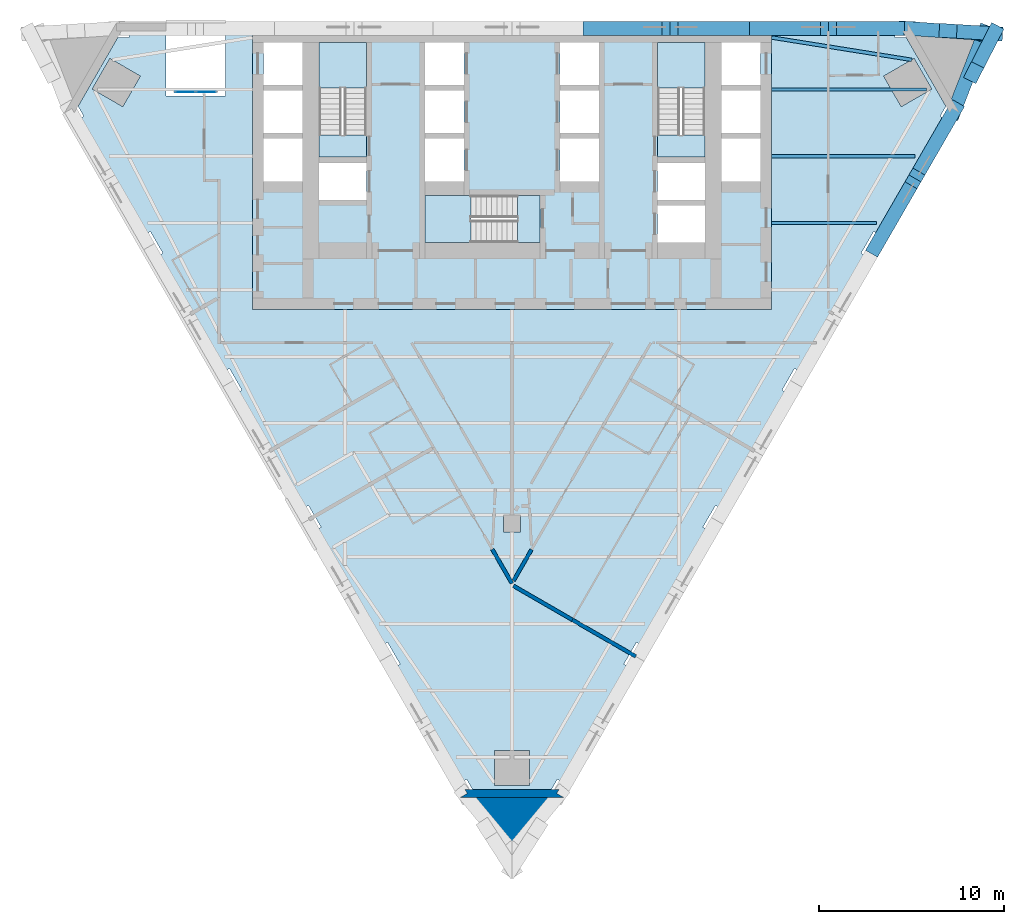
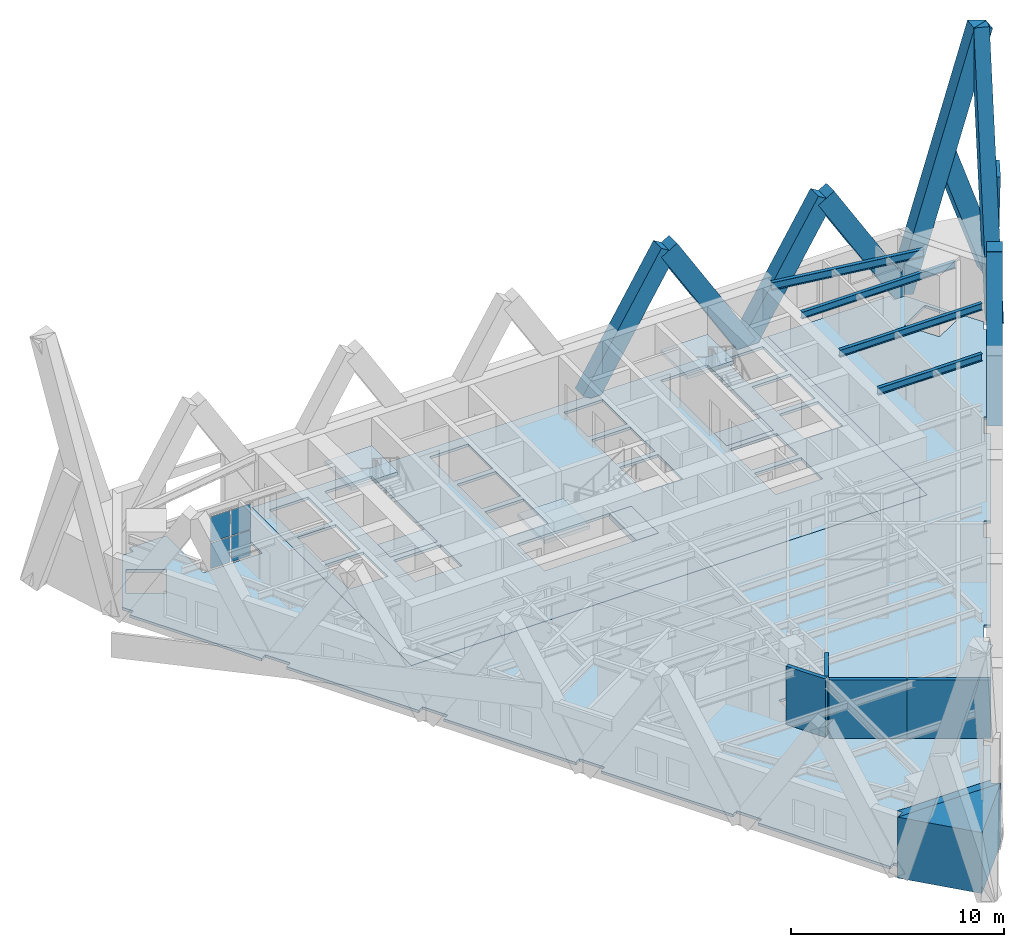
# One storey, part 3 of 11: 10 members, 8 slabs, 6 walls, 4 beams, 4 plates, 4 elements without a shape of their own.
"""IFC4 building model written with IfcOpenShell, lengths in metres."""

from ifc_helpers import new_model, si_unit, direction, frame, frame_2d, origin, origin_2d, place, context, subcontext, project, spatial, polyline, rectangle, i_section, outline, extrude, material, layer, layer_set, material_profile, profile_set, type_object, element, aggregate, save


model = new_model("IFC4")

# Units and contexts
model_context = context("Model", 3, precision=1e-05, world=origin(), true_north=direction((0.0, 1.0)))
body_context = subcontext(model_context, "Body", "Model", "MODEL_VIEW")
ifc_project = project(units=[si_unit("LENGTHUNIT", "METRE"), si_unit("AREAUNIT", "SQUARE_METRE"), si_unit("VOLUMEUNIT", "CUBIC_METRE"), si_unit("PLANEANGLEUNIT", "RADIAN"), si_unit("MASSUNIT", "GRAM", prefix="KILO")], contexts=[model_context])

# Site, building, storey
site_placement = place(None, origin())
site = spatial("IfcSite", under=ifc_project, at=site_placement, CompositionType="ELEMENT")
building_placement = place(site_placement, origin())
building = spatial("IfcBuilding", under=site, at=building_placement, Name="Aloe Facet Convention Tower", CompositionType="ELEMENT")
storey_placement = place(building_placement, frame((0.0, 0.0, 95.800048828125)))
storey = spatial("IfcBuildingStorey", under=building, at=storey_placement, Name="L23", CompositionType="ELEMENT", Elevation=95.800048828125)

# Beams
ifc_material_1 = material(Name="Steel S355", Category="steel")
ifc_material_profile_1 = material_profile(ifc_material_1, i_section(OverallWidth=0.177734375, OverallDepth=0.402587890625, WebThickness=0.0078125, FlangeThickness=0.010986328125, FilletRadius=0.01025390625, at=origin_2d()), Name="UB 406x178x54")
ifc_profile_set_1 = profile_set([ifc_material_profile_1], Name="Steel S355")
beam_type_1 = type_object("IfcBeamType", Name="SF-B-UB406x178x54", PredefinedType="BEAM", material=ifc_profile_set_1)
beam_1_placement = place(storey_placement, frame((94.0, 124.199951171875, 3.148681640625), z_axis=(1.0, 0.0, 0.0), x_axis=(0.0, 1.0, 0.0)))
element("IfcBeam", 1, at=beam_1_placement, inside=storey, type_object=beam_type_1, Name="Floor beam FB-Z2E-040", PredefinedType="BEAM", context=body_context, shape_type="SweptSolid", body=[
    extrude(i_section(OverallWidth=0.177734375, OverallDepth=0.402587890625, WebThickness=0.0078125, FlangeThickness=0.010986328125, FilletRadius=0.01025390625, at=origin_2d()), origin(), (0.0, 0.0, 1.0), 5.648681640625),
])
beam_2_placement = place(storey_placement, frame((94.0, 127.800048828125, 3.148681640625), z_axis=(1.0, 0.0, 0.0), x_axis=(0.0, 1.0, 0.0)))
element("IfcBeam", 2, at=beam_2_placement, inside=storey, type_object=beam_type_1, Name="Floor beam FB-Z2E-041", PredefinedType="BEAM", context=body_context, shape_type="SweptSolid", body=[
    extrude(i_section(OverallWidth=0.177734375, OverallDepth=0.402587890625, WebThickness=0.0078125, FlangeThickness=0.010986328125, FilletRadius=0.01025390625, at=origin_2d()), origin(), (0.0, 0.0, 1.0), 7.72705078125),
])
beam_3_placement = place(storey_placement, frame((94.0, 131.39990234375, 3.148681640625), z_axis=(1.0, 0.0, 0.0), x_axis=(0.0, 1.0, 0.0)))
element("IfcBeam", 3, at=beam_3_placement, inside=storey, type_object=beam_type_1, Name="Floor beam FB-Z2E-042", PredefinedType="BEAM", context=body_context, shape_type="SweptSolid", body=[
    extrude(i_section(OverallWidth=0.177734375, OverallDepth=0.402587890625, WebThickness=0.0078125, FlangeThickness=0.010986328125, FilletRadius=0.01025390625, at=origin_2d()), origin(), (0.0, 0.0, 1.0), 8.3623046875),
])
ifc_material_2 = material(Name="Steel S355", Category="steel")
ifc_material_profile_2 = material_profile(ifc_material_2, i_section(OverallWidth=0.18994140625, OverallDepth=0.453369140625, WebThickness=0.008544921875, FlangeThickness=0.0126953125, FilletRadius=0.01025390625, at=origin_2d()), Name="UB 457x191x67")
ifc_profile_set_2 = profile_set([ifc_material_profile_2], Name="Steel S355")
beam_type_2 = type_object("IfcBeamType", Name="SF-B-UB457x191x67", PredefinedType="BEAM", material=ifc_profile_set_2)
beam_4_placement = place(storey_placement, frame((94.0, 134.205078125, 3.123291015625), z_axis=(0.987536396348, -0.15739080624, 0.0), x_axis=(0.15739080624, 0.987536396348, 0.0)))
element("IfcBeam", 4, at=beam_4_placement, inside=storey, type_object=beam_type_2, Name="Floor beam FB-Z2E-007", PredefinedType="BEAM", context=body_context, shape_type="SweptSolid", body=[
    extrude(i_section(OverallWidth=0.18994140625, OverallDepth=0.453369140625, WebThickness=0.008544921875, FlangeThickness=0.0126953125, FilletRadius=0.01025390625, at=origin_2d()), origin(), (0.0, 0.0, 1.0), 7.653564453125),
])

# Members
ifc_material_3 = material(Name="Concrete C60/75, bronze oxide finish", Category="concrete")
ifc_material_profile_3 = material_profile(ifc_material_3, rectangle(XDim=0.75, YDim=1.0, at=origin_2d()), Name="STW-LM")
ifc_profile_set_3 = profile_set([ifc_material_profile_3], Name="Concrete C60/75, bronze oxide finish")
member_type = type_object("IfcMemberType", Name="STW-LM", PredefinedType="BRACE", material=ifc_profile_set_3)
for number, where, z_axis, x_axis, name in (
    (5, (101.321533203125, 134.699951171875, 0.0), (-0.520261568685, 0.0, 0.854006967272), (0.0, -1.0, 0.0), "Lattice member LM-Z2-F1-R2-01"),
    (6, (92.79296875, 134.699951171875, 0.0), (0.520239844858, 0.0, 0.854020201062), (0.0, 1.0, 0.0), "Lattice member LM-Z2-F1-R2-02"),
    (7, (92.79296875, 134.699951171875, 0.0), (-0.520261568685, 0.0, 0.854006967272), (0.0, -1.0, 0.0), "Lattice member LM-Z2-F1-R2-03"),
    (8, (84.264404296875, 134.699951171875, 0.0), (0.520239844858, 0.0, 0.854020201062), (0.0, 1.0, 0.0), "Lattice member LM-Z2-F1-R2-04"),
    (9, (99.597412109375, 122.914306640625, 0.0), (0.26011992139, 0.45054092877, 0.854020197653), (-0.866025408043, 0.499999992624, 0.0), "Lattice member LM-Z2-F3-R2-09"),
):
    element("IfcMember", number, at=place(storey_placement, frame(where, z_axis=z_axis, x_axis=x_axis)), inside=storey, type_object=member_type, Name=name, PredefinedType="BRACE", context=body_context, shape_type="SweptSolid", body=[
        extrude(rectangle(XDim=0.75, YDim=1.0, at=origin_2d()), origin(), (0.0, 0.0, 1.0), 8.196533203125),
    ])
member_1_placement = place(storey_placement, frame((103.86181640625, 130.30029296875, 0.0), z_axis=(-0.260144200438, -0.450561177013, 0.854002119873), x_axis=(0.866014930446, -0.500018139916, 0.0)))
element("IfcMember", 10, at=member_1_placement, inside=storey, type_object=member_type, Name="Lattice member LM-Z2-F3-R2-10", PredefinedType="BRACE", context=body_context, shape_type="SweptSolid", body=[
    extrude(rectangle(XDim=0.75, YDim=1.0, at=origin_2d()), origin(), (0.0, 0.0, 1.0), 8.19677734375),
])
member_2_placement = place(storey_placement, frame((103.86181640625, 130.30029296875, 0.0), z_axis=(0.108632361951, 0.280038959701, 0.953822410613), x_axis=(-0.932309873243, 0.361660476488, 0.0)))
element("IfcMember", 11, at=member_2_placement, inside=storey, type_object=member_type, Name="Lattice member LM-Z2-F6-R2-01", PredefinedType="BRACE", context=body_context, shape_type="SweptSolid", body=[
    extrude(rectangle(XDim=0.75, YDim=1.0, at=origin_2d()), origin(), (0.0, 0.0, 1.0), 14.677734375),
])
member_3_placement = place(storey_placement, frame((105.978515625, 134.416748046875, 0.0), z_axis=(-0.143548367606, -0.279179276846, 0.949448680834), x_axis=(0.889326078911, -0.457273578253, 0.0)))
element("IfcMember", 12, at=member_3_placement, inside=storey, type_object=member_type, Name="Lattice member LM-Z2-F6-R2-02", PredefinedType="BRACE", context=body_context, shape_type="SweptSolid", body=[
    extrude(rectangle(XDim=0.75, YDim=1.0, at=origin_2d()), origin(), (0.0, 0.0, 1.0), 7.5546875),
])
member_4_placement = place(storey_placement, frame((101.321533203125, 134.699951171875, 0.0), z_axis=(0.283189849886, -0.01981459448, 0.95885916107), x_axis=(0.069798648075, 0.997561100247, 0.0)))
element("IfcMember", 13, at=member_4_placement, inside=storey, type_object=member_type, Name="Lattice member LM-Z2-F6-R2-03", PredefinedType="BRACE", context=body_context, shape_type="SweptSolid", body=[
    extrude(rectangle(XDim=0.75, YDim=1.0, at=origin_2d()), origin(), (0.0, 0.0, 1.0), 14.6005859375),
])
member_5_placement = place(storey_placement, frame((105.978515625, 134.416748046875, 0.0), z_axis=(-0.31557884683, 0.019214037303, 0.948704807727), x_axis=(-0.060772523494, -0.99815164198, 0.0)))
element("IfcMember", 14, at=member_5_placement, inside=storey, type_object=member_type, Name="Lattice member LM-Z2-F6-R2-04", PredefinedType="BRACE", context=body_context, shape_type="SweptSolid", body=[
    extrude(rectangle(XDim=0.75, YDim=1.0, at=origin_2d()), origin(), (0.0, 0.0, 1.0), 7.814453125),
])

# Slabs
ifc_material_4 = material(Name="Concrete C70/85", Category="concrete")
ifc_layer_1 = layer(ifc_material_4, 0.14990234375)
ifc_layer_set_1 = layer_set([ifc_layer_1], Name="CR-S-FLOOR150-C7085")
slab_type_1 = type_object("IfcSlabType", Name="CR-S-FLOOR150-C7085", PredefinedType="FLOOR", material=ifc_layer_set_1)
slab_1_placement = place(storey_placement, frame((0.0, 0.0, -0.150146484375)))
element("IfcSlab", 15, at=slab_1_placement, inside=storey, type_object=slab_type_1, Name="Core floor L23", PredefinedType="FLOOR", context=body_context, shape_type="SweptSolid", body=[
    extrude(outline(polyline([(69.300048828125, 134.550048828125), (71.85009765625, 134.550048828125), (72.75, 134.550048828125), (74.699951171875, 134.550048828125), (75.60009765625, 134.550048828125), (77.10009765625, 134.550048828125), (78.0, 134.550048828125), (82.0, 134.550048828125), (82.89990234375, 134.550048828125), (84.39990234375, 134.550048828125), (85.300048828125, 134.550048828125), (87.25, 134.550048828125), (88.14990234375, 134.550048828125), (90.699951171875, 134.550048828125), (91.0, 134.550048828125), (94.0, 134.550048828125), (94.0, 131.949951171875), (94.0, 131.050048828125), (94.0, 129.35009765625), (94.0, 128.449951171875), (94.0, 126.449951171875), (94.0, 125.85009765625), (94.0, 123.57373046875), (94.0, 122.523681640625), (94.0, 119.550048828125), (91.300048828125, 119.550048828125), (90.699951171875, 119.550048828125), (89.60009765625, 119.550048828125), (88.550048828125, 119.550048828125), (87.89990234375, 119.550048828125), (86.85009765625, 119.550048828125), (85.699951171875, 119.550048828125), (84.64990234375, 119.550048828125), (83.699951171875, 119.550048828125), (82.64990234375, 119.550048828125), (81.75, 119.550048828125), (80.699951171875, 119.550048828125), (78.550048828125, 119.550048828125), (77.5, 119.550048828125), (75.35009765625, 119.550048828125), (74.300048828125, 119.550048828125), (73.14990234375, 119.550048828125), (72.10009765625, 119.550048828125), (69.300048828125, 119.550048828125), (66.0, 119.550048828125), (66.0, 121.5), (66.0, 122.550048828125), (66.0, 123.449951171875), (66.0, 124.5), (66.0, 125.85009765625), (66.0, 126.449951171875), (66.0, 128.449951171875), (66.0, 129.35009765625), (66.0, 131.050048828125), (66.0, 131.949951171875), (66.0, 134.550048828125), (69.0, 134.550048828125), (69.300048828125, 134.550048828125)]), holes=[polyline([(75.300048828125, 123.14990234375), (80.298828125, 123.14990234375), (81.5, 123.14990234375), (81.5, 125.699951171875), (80.298828125, 125.699951171875), (75.300048828125, 125.699951171875), (75.300048828125, 123.14990234375)]), polyline([(69.60009765625, 125.449951171875), (72.14990234375, 125.449951171875), (72.14990234375, 127.449951171875), (69.60009765625, 127.449951171875), (69.60009765625, 125.449951171875)]), polyline([(66.60009765625, 126.449951171875), (68.699951171875, 126.449951171875), (68.699951171875, 128.75), (66.60009765625, 128.75), (66.60009765625, 126.449951171875)]), polyline([(75.300048828125, 126.449951171875), (77.39990234375, 126.449951171875), (77.39990234375, 128.75), (75.300048828125, 128.75), (75.300048828125, 126.449951171875)]), polyline([(66.60009765625, 129.050048828125), (68.699951171875, 129.050048828125), (68.699951171875, 131.35009765625), (66.60009765625, 131.35009765625), (66.60009765625, 129.050048828125)]), polyline([(75.300048828125, 129.050048828125), (77.39990234375, 129.050048828125), (77.39990234375, 131.35009765625), (75.300048828125, 131.35009765625), (75.300048828125, 129.050048828125)]), polyline([(69.60009765625, 133.949951171875), (69.60009765625, 128.951171875), (69.60009765625, 127.75), (72.14990234375, 127.75), (72.14990234375, 128.951171875), (72.14990234375, 133.949951171875), (69.60009765625, 133.949951171875)]), polyline([(66.60009765625, 133.949951171875), (66.60009765625, 131.64990234375), (68.699951171875, 131.64990234375), (68.699951171875, 133.949951171875), (66.60009765625, 133.949951171875)]), polyline([(75.300048828125, 133.949951171875), (75.300048828125, 131.64990234375), (77.39990234375, 131.64990234375), (77.39990234375, 133.949951171875), (75.300048828125, 133.949951171875)]), polyline([(87.85009765625, 123.14990234375), (90.39990234375, 123.14990234375), (90.39990234375, 125.14990234375), (87.85009765625, 125.14990234375), (87.85009765625, 123.14990234375)]), polyline([(87.85009765625, 125.449951171875), (90.39990234375, 125.449951171875), (90.39990234375, 127.449951171875), (87.85009765625, 127.449951171875), (87.85009765625, 125.449951171875)]), polyline([(82.60009765625, 126.449951171875), (84.699951171875, 126.449951171875), (84.699951171875, 128.75), (82.60009765625, 128.75), (82.60009765625, 126.449951171875)]), polyline([(91.300048828125, 126.449951171875), (93.39990234375, 126.449951171875), (93.39990234375, 128.75), (91.300048828125, 128.75), (91.300048828125, 126.449951171875)]), polyline([(82.60009765625, 129.050048828125), (84.699951171875, 129.050048828125), (84.699951171875, 131.35009765625), (82.60009765625, 131.35009765625), (82.60009765625, 129.050048828125)]), polyline([(91.300048828125, 129.050048828125), (93.39990234375, 129.050048828125), (93.39990234375, 131.35009765625), (91.300048828125, 131.35009765625), (91.300048828125, 129.050048828125)]), polyline([(87.85009765625, 133.949951171875), (87.85009765625, 128.951171875), (87.85009765625, 127.75), (90.39990234375, 127.75), (90.39990234375, 128.951171875), (90.39990234375, 133.949951171875), (87.85009765625, 133.949951171875)]), polyline([(82.60009765625, 133.949951171875), (82.60009765625, 131.64990234375), (84.699951171875, 131.64990234375), (84.699951171875, 133.949951171875), (82.60009765625, 133.949951171875)]), polyline([(91.300048828125, 133.949951171875), (91.300048828125, 131.64990234375), (93.39990234375, 131.64990234375), (93.39990234375, 133.949951171875), (91.300048828125, 133.949951171875)])]), origin(), (0.0, 0.0, 1.0), 0.150146484375),
])
ifc_material_5 = material(Name="Concrete C70/85", Category="concrete")
ifc_layer_2 = layer(ifc_material_5, 0.300048828125)
ifc_layer_set_2 = layer_set([ifc_layer_2], Name="CR-S-FLOOR300-C7085")
slab_type_2 = type_object("IfcSlabType", Name="CR-S-FLOOR300-C7085", PredefinedType="FLOOR", material=ifc_layer_set_2)
slab_2_placement = place(storey_placement, frame((0.0, 0.0, -0.300048828125)))
element("IfcSlab", 16, at=slab_2_placement, inside=storey, type_object=slab_type_2, Name="Stair landing floor L23", PredefinedType="FLOOR", context=body_context, shape_type="SweptSolid", body=[
    extrude(outline(polyline([(72.14990234375, 127.75), (72.14990234375, 128.951171875), (69.60009765625, 128.951171875), (69.60009765625, 127.75), (72.14990234375, 127.75)])), origin(), (0.0, 0.0, 1.0), 0.300048828125),
])
slab_3_placement = place(storey_placement, frame((0.0, 0.0, -0.300048828125)))
element("IfcSlab", 17, at=slab_3_placement, inside=storey, type_object=slab_type_2, Name="Stair landing floor L23", PredefinedType="FLOOR", context=body_context, shape_type="SweptSolid", body=[
    extrude(outline(polyline([(90.39990234375, 127.75), (90.39990234375, 128.951171875), (87.85009765625, 128.951171875), (87.85009765625, 127.75), (90.39990234375, 127.75)])), origin(), (0.0, 0.0, 1.0), 0.300048828125),
])
slab_4_placement = place(storey_placement, frame((0.0, 0.0, -0.300048828125)))
element("IfcSlab", 18, at=slab_4_placement, inside=storey, type_object=slab_type_2, Name="Stair landing floor L23", PredefinedType="FLOOR", context=body_context, shape_type="SweptSolid", body=[
    extrude(outline(polyline([(81.5, 125.699951171875), (80.298828125, 125.699951171875), (80.298828125, 123.14990234375), (81.5, 123.14990234375), (81.5, 125.699951171875)])), origin(), (0.0, 0.0, 1.0), 0.300048828125),
])

# Stair, slab
ifc_material_6 = material(Name="Concrete C50/60", Category="concrete")
stair_type = type_object("IfcStairType", Name="CR-ST-20R", PredefinedType="HALF_TURN_STAIR", material=ifc_material_6)
stair_1_placement = place(storey_placement, origin())
stair_1 = element("IfcStair", 19, at=stair_1_placement, inside=storey, type_object=stair_type, Name="L23 Protected exit stair ST1", PredefinedType="HALF_TURN_STAIR")
ifc_material_7 = material(Name="Concrete C50/60", Category="concrete")
ifc_layer_3 = layer(ifc_material_7, 0.199951171875)
ifc_layer_set_3 = layer_set([ifc_layer_3], Name="CR-SL-LANDING")
slab_type_3 = type_object("IfcSlabType", Name="CR-SL-LANDING", PredefinedType="LANDING", material=ifc_layer_set_3)
slab_5_placement = place(storey_placement, frame((0.0, 0.0, 1.550048828125)))
slab_5 = element("IfcSlab", 20, at=slab_5_placement, type_object=slab_type_3, Name="ST1 landing 1", PredefinedType="LANDING", context=body_context, shape_type="SweptSolid", body=[
    extrude(outline(polyline([(72.14990234375, 131.469970703125), (72.14990234375, 133.949951171875), (69.60009765625, 133.949951171875), (69.60009765625, 131.469970703125), (72.14990234375, 131.469970703125)])), origin(), (0.0, 0.0, 1.0), 0.199951171875),
])
aggregate(stair_1, [slab_5])

stair_2_placement = place(storey_placement, origin())
stair_2 = element("IfcStair", 21, at=stair_2_placement, inside=storey, type_object=stair_type, Name="L23 Protected exit stair ST2", PredefinedType="HALF_TURN_STAIR")
slab_6_placement = place(storey_placement, frame((0.0, 0.0, 1.550048828125)))
slab_6 = element("IfcSlab", 22, at=slab_6_placement, type_object=slab_type_3, Name="ST2 landing 1", PredefinedType="LANDING", context=body_context, shape_type="SweptSolid", body=[
    extrude(outline(polyline([(90.39990234375, 131.469970703125), (90.39990234375, 133.949951171875), (87.85009765625, 133.949951171875), (87.85009765625, 131.469970703125), (90.39990234375, 131.469970703125)])), origin(), (0.0, 0.0, 1.0), 0.199951171875),
])
aggregate(stair_2, [slab_6])

stair_3_placement = place(storey_placement, origin())
stair_3 = element("IfcStair", 23, at=stair_3_placement, inside=storey, type_object=stair_type, Name="L23 Protected exit stair ST3", PredefinedType="HALF_TURN_STAIR")
slab_7_placement = place(storey_placement, frame((0.0, 0.0, 1.550048828125)))
slab_7 = element("IfcSlab", 24, at=slab_7_placement, type_object=slab_type_3, Name="ST3 landing 1", PredefinedType="LANDING", context=body_context, shape_type="SweptSolid", body=[
    extrude(outline(polyline([(77.780029296875, 125.699951171875), (75.300048828125, 125.699951171875), (75.300048828125, 123.14990234375), (77.780029296875, 123.14990234375), (77.780029296875, 125.699951171875)])), origin(), (0.0, 0.0, 1.0), 0.199951171875),
])
aggregate(stair_3, [slab_7])

# Curtain wall, plates
ifc_material_8 = material(Name="Aluminium, anodised", Category="aluminium")
curtain_wall_type = type_object("IfcCurtainWallType", Name="EV-CW-TERRACE", PredefinedType="USERDEFINED", material=ifc_material_8)
curtain_wall_placement = place(storey_placement, origin())
curtain_wall = element("IfcCurtainWall", 25, at=curtain_wall_placement, inside=storey, type_object=curtain_wall_type, Name="CW-T04", ObjectType="TERRACE BACK GLAZING", PredefinedType="USERDEFINED")
ifc_material_9 = material(Name="Clear double glazing", Category="glass")
ifc_layer_4 = layer(ifc_material_9, 0.028076171875)
ifc_layer_set_4 = layer_set([ifc_layer_4], Name="EV-PANEL-TERRACE")
plate_type = type_object("IfcPlateType", Name="EV-PANEL-TERRACE", PredefinedType="CURTAIN_PANEL", material=ifc_layer_set_4)
plate_1_placement = place(storey_placement, frame((63.502685546875, 131.27490234375, -0.08984375), z_axis=(0.0, 0.0, 1.0), x_axis=(-1.0, 0.0, 0.0)))
plate_1 = element("IfcPlate", 26, at=plate_1_placement, type_object=plate_type, Name="CW-T04 panel 1.1", PredefinedType="CURTAIN_PANEL", context=body_context, shape_type="SweptSolid", body=[
    extrude(rectangle(XDim=1.06005859375, YDim=0.028076171875, at=origin_2d()), origin(), (0.0, 0.0, 1.0), 1.458740234375),
])
plate_2_placement = place(storey_placement, frame((63.502685546875, 131.27490234375, 1.4287109375), z_axis=(0.0, 0.0, 1.0), x_axis=(-1.0, 0.0, 0.0)))
plate_2 = element("IfcPlate", 27, at=plate_2_placement, type_object=plate_type, Name="CW-T04 panel 1.2", PredefinedType="CURTAIN_PANEL", context=body_context, shape_type="SweptSolid", body=[
    extrude(rectangle(XDim=1.06005859375, YDim=0.028076171875, at=origin_2d()), origin(), (0.0, 0.0, 1.0), 1.458740234375),
])
plate_3_placement = place(storey_placement, frame((62.3828125, 131.27490234375, -0.08984375), z_axis=(0.0, 0.0, 1.0), x_axis=(-1.0, 0.0, 0.0)))
plate_3 = element("IfcPlate", 28, at=plate_3_placement, type_object=plate_type, Name="CW-T04 panel 2.1", PredefinedType="CURTAIN_PANEL", context=body_context, shape_type="SweptSolid", body=[
    extrude(rectangle(XDim=1.06005859375, YDim=0.028076171875, at=origin_2d()), origin(), (0.0, 0.0, 1.0), 1.458740234375),
])
plate_4_placement = place(storey_placement, frame((62.3828125, 131.27490234375, 1.4287109375), z_axis=(0.0, 0.0, 1.0), x_axis=(-1.0, 0.0, 0.0)))
plate_4 = element("IfcPlate", 29, at=plate_4_placement, type_object=plate_type, Name="CW-T04 panel 2.2", PredefinedType="CURTAIN_PANEL", context=body_context, shape_type="SweptSolid", body=[
    extrude(rectangle(XDim=1.06005859375, YDim=0.028076171875, at=origin_2d()), origin(), (0.0, 0.0, 1.0), 1.458740234375),
])
aggregate(curtain_wall, [plate_1, plate_2, plate_3, plate_4])

# Slab
ifc_material_10 = material(Name="Concrete C35/45", Category="concrete")
ifc_layer_5 = layer(ifc_material_10, 0.14990234375)
ifc_layer_set_5 = layer_set([ifc_layer_5], Name="SF-FS-150")
slab_type_4 = type_object("IfcSlabType", Name="SF-FS-150", PredefinedType="FLOOR", material=ifc_layer_set_5)
slab_8_placement = place(storey_placement, frame((0.0, 0.0, -0.150146484375)))
element("IfcSlab", 30, at=slab_8_placement, inside=storey, type_object=slab_type_4, Name="Floor slab L23-1", PredefinedType="FLOOR", context=body_context, shape_type="SweptSolid", body=[
    extrude(outline(polyline([(103.39990234375, 130.500244140625), (103.09033203125, 129.964111328125), (103.393310546875, 129.7890625), (99.805908203125, 123.575439453125), (99.502685546875, 123.75048828125), (99.4462890625, 123.65234375), (99.28759765625, 123.37744140625), (98.87451171875, 122.662109375), (98.87158203125, 122.6572265625), (98.825927734375, 122.578125), (99.129150390625, 122.403076171875), (95.54150390625, 116.189453125), (95.238525390625, 116.364501953125), (94.777099609375, 115.56494140625), (94.618408203125, 115.290283203125), (94.607421875, 115.271240234375), (94.561767578125, 115.192138671875), (94.86474609375, 115.01708984375), (91.27734375, 108.803466796875), (90.97412109375, 108.978515625), (90.928466796875, 108.8994140625), (90.7587890625, 108.60546875), (90.6357421875, 108.392333984375), (90.585205078125, 108.304443359375), (90.5126953125, 108.178955078125), (90.35400390625, 107.904296875), (90.343017578125, 107.88525390625), (90.29736328125, 107.80615234375), (90.6005859375, 107.631103515625), (87.012939453125, 101.41748046875), (86.7099609375, 101.59228515625), (86.6533203125, 101.494384765625), (86.49462890625, 101.219482421875), (86.4306640625, 101.108642578125), (86.37158203125, 101.00634765625), (86.30029296875, 100.883056640625), (86.248291015625, 100.79296875), (86.078857421875, 100.499267578125), (86.033203125, 100.420166015625), (86.336181640625, 100.2451171875), (82.748779296875, 94.031494140625), (82.445556640625, 94.206298828125), (82.135986328125, 93.67041015625), (77.864013671875, 93.67041015625), (77.554443359375, 94.206298828125), (77.251220703125, 94.031494140625), (73.663818359375, 100.2451171875), (73.966796875, 100.420166015625), (73.921142578125, 100.499267578125), (73.751708984375, 100.79296875), (73.6513671875, 100.966552734375), (73.62841796875, 101.00634765625), (73.2900390625, 101.59228515625), (72.987060546875, 101.41748046875), (69.3994140625, 107.631103515625), (69.70263671875, 107.80615234375), (69.656982421875, 107.88525390625), (69.3642578125, 108.392333984375), (69.02587890625, 108.978515625), (68.72265625, 108.803466796875), (65.13525390625, 115.01708984375), (65.438232421875, 115.192138671875), (65.222900390625, 115.56494140625), (65.203369140625, 115.59912109375), (64.976806640625, 115.991455078125), (64.9169921875, 116.09521484375), (64.80712890625, 116.285400390625), (64.761474609375, 116.364501953125), (64.45849609375, 116.189453125), (60.870849609375, 122.403076171875), (61.174072265625, 122.578125), (60.958740234375, 122.950927734375), (60.91943359375, 123.01904296875), (60.71240234375, 123.37744140625), (60.497314453125, 123.75048828125), (60.194091796875, 123.575439453125), (56.606689453125, 129.7890625), (56.90966796875, 129.964111328125), (56.864013671875, 130.043212890625), (56.60009765625, 130.500244140625), (58.736083984375, 134.199951171875), (59.263916015625, 134.199951171875), (59.355224609375, 134.199951171875), (59.355224609375, 134.550048828125), (61.3427734375, 134.550048828125), (61.3427734375, 131.050048828125), (64.542724609375, 131.050048828125), (64.542724609375, 134.550048828125), (66.0, 134.550048828125), (66.0, 131.949951171875), (66.0, 131.050048828125), (66.0, 129.35009765625), (66.0, 128.449951171875), (66.0, 126.449951171875), (66.0, 125.85009765625), (66.0, 124.5), (66.0, 123.449951171875), (66.0, 122.550048828125), (66.0, 121.5), (66.0, 119.550048828125), (69.300048828125, 119.550048828125), (72.10009765625, 119.550048828125), (73.14990234375, 119.550048828125), (74.300048828125, 119.550048828125), (75.35009765625, 119.550048828125), (77.5, 119.550048828125), (78.550048828125, 119.550048828125), (80.699951171875, 119.550048828125), (81.75, 119.550048828125), (82.64990234375, 119.550048828125), (83.699951171875, 119.550048828125), (84.64990234375, 119.550048828125), (85.699951171875, 119.550048828125), (86.85009765625, 119.550048828125), (87.89990234375, 119.550048828125), (88.550048828125, 119.550048828125), (89.60009765625, 119.550048828125), (90.699951171875, 119.550048828125), (91.300048828125, 119.550048828125), (94.0, 119.550048828125), (94.0, 122.523681640625), (94.0, 123.57373046875), (94.0, 125.85009765625), (94.0, 126.449951171875), (94.0, 128.449951171875), (94.0, 129.35009765625), (94.0, 131.050048828125), (94.0, 131.949951171875), (94.0, 134.550048828125), (100.644775390625, 134.550048828125), (100.644775390625, 134.199951171875), (100.736083984375, 134.199951171875), (101.263916015625, 134.199951171875), (103.39990234375, 130.500244140625)]), holes=[polyline([(59.9619140625, 132.122802734375), (58.31640625, 133.072998046875), (57.366455078125, 131.427490234375), (59.01171875, 130.477294921875), (59.9619140625, 132.122802734375)]), polyline([(79.050048828125, 95.770263671875), (79.050048828125, 93.870361328125), (80.949951171875, 93.870361328125), (80.949951171875, 95.770263671875), (79.050048828125, 95.770263671875)]), polyline([(79.550048828125, 107.550048828125), (80.449951171875, 107.550048828125), (80.449951171875, 108.449951171875), (79.550048828125, 108.449951171875), (79.550048828125, 107.550048828125)]), polyline([(100.98828125, 130.477294921875), (102.633544921875, 131.427490234375), (101.68359375, 133.072998046875), (100.0380859375, 132.122802734375), (100.98828125, 130.477294921875)])]), origin(), (0.0, 0.0, 1.0), 0.150146484375),
])

# Walls
ifc_material_11 = material(Name="Precast concrete C40/50", Category="concrete")
ifc_layer_6 = layer(ifc_material_11, 0.449951171875)
ifc_layer_set_6 = layer_set([ifc_layer_6], Name="EV-WALL-PIER")
wall_type_1 = type_object("IfcWallType", Name="EV-WALL-PIER", PredefinedType="SOLIDWALL", material=ifc_layer_set_6)
wall_1_placement = place(storey_placement, frame((0.0, 0.0, -0.150146484375)))
element("IfcWall", 31, at=wall_1_placement, inside=storey, type_object=wall_type_1, Name="EP-L23-B", PredefinedType="SOLIDWALL", context=body_context, shape_type="SweptSolid", body=[
    extrude(outline(polyline([(77.199951171875, 93.22021484375), (77.589599609375, 93.4453125), (77.459716796875, 93.670166015625), (82.540283203125, 93.670166015625), (82.410400390625, 93.4453125), (82.800048828125, 93.22021484375), (77.199951171875, 93.22021484375)])), origin(), (0.0, 0.0, 1.0), 3.5),
])
ifc_material_12 = material(Name="Precast concrete C40/50", Category="concrete")
ifc_layer_7 = layer(ifc_material_12, 3.947998046875)
ifc_layer_set_7 = layer_set([ifc_layer_7], Name="EV-WALL-SPINE")
wall_type_2 = type_object("IfcWallType", Name="EV-WALL-SPINE", PredefinedType="SOLIDWALL", material=ifc_layer_set_7)
wall_2_placement = place(storey_placement, frame((0.0, 0.0, -0.150146484375)))
element("IfcWall", 32, at=wall_2_placement, inside=storey, type_object=wall_type_2, Name="SP-S-L23", PredefinedType="SOLIDWALL", context=body_context, shape_type="SweptSolid", body=[
    extrude(outline(polyline([(77.199951171875, 93.22021484375), (80.0, 90.12939453125), (82.800048828125, 93.22021484375), (77.199951171875, 93.22021484375)])), origin(), (0.0, 0.0, 1.0), 3.5),
])
ifc_material_13 = material(Name="Gypsum board partition on steel studs", Category="steel")
ifc_layer_8 = layer(ifc_material_13, 0.199951171875)
ifc_layer_set_8 = layer_set([ifc_layer_8], Name="IN-W-PARTY")
wall_type_3 = type_object("IfcWallType", Name="IN-W-PARTY", PredefinedType="PARTITIONING", material=ifc_layer_set_8)
wall_3_placement = place(storey_placement, frame((83.25390625, 102.80615234375, 0.0), z_axis=(0.0, 0.0, 1.0), x_axis=(0.866032218625, -0.499988196164, 0.0)))
element("IfcWall", 33, at=wall_3_placement, inside=storey, type_object=wall_type_3, Name="Partition L23-W001", PredefinedType="PARTITIONING", context=body_context, shape_type="SweptSolid", body=[
    extrude(rectangle(XDim=3.94970703125, YDim=0.199951171875, at=frame_2d((1.974853515625, 0.0))), origin(), (0.0, 0.0, 1.0), 3.349853515625),
])
wall_4_placement = place(storey_placement, frame((80.07421875, 104.64208984375, 0.0), z_axis=(0.0, 0.0, 1.0), x_axis=(0.866008413041, -0.500029427677, 0.0)))
element("IfcWall", 34, at=wall_4_placement, inside=storey, type_object=wall_type_3, Name="Partition L23-W002", PredefinedType="PARTITIONING", context=body_context, shape_type="SweptSolid", body=[
    extrude(rectangle(XDim=3.671630859375, YDim=0.199951171875, at=frame_2d((1.8359375, 0.0))), origin(), (0.0, 0.0, 1.0), 3.349853515625),
])
wall_5_placement = place(storey_placement, frame((78.937744140625, 106.6103515625, 0.0), z_axis=(0.0, 0.0, 1.0), x_axis=(0.500007616569, -0.866021006312, 0.0)))
element("IfcWall", 35, at=wall_5_placement, inside=storey, type_object=wall_type_3, Name="Partition L23-W004", PredefinedType="PARTITIONING", context=body_context, shape_type="SweptSolid", body=[
    extrude(rectangle(XDim=2.12451171875, YDim=0.199951171875, at=frame_2d((1.062255859375, 0.0))), origin(), (0.0, 0.0, 1.0), 3.349853515625),
])
wall_6_placement = place(storey_placement, frame((80.086669921875, 104.920654296875, 0.0), z_axis=(0.0, 0.0, 1.0), x_axis=(0.499970304126, 0.866042548026, 0.0)))
element("IfcWall", 36, at=wall_6_placement, inside=storey, type_object=wall_type_3, Name="Partition L23-W005", PredefinedType="PARTITIONING", context=body_context, shape_type="SweptSolid", body=[
    extrude(rectangle(XDim=1.9326171875, YDim=0.199951171875, at=frame_2d((0.96630859375, 0.0))), origin(), (0.0, 0.0, 1.0), 3.349853515625),
])

save(model, "model.ifc")
